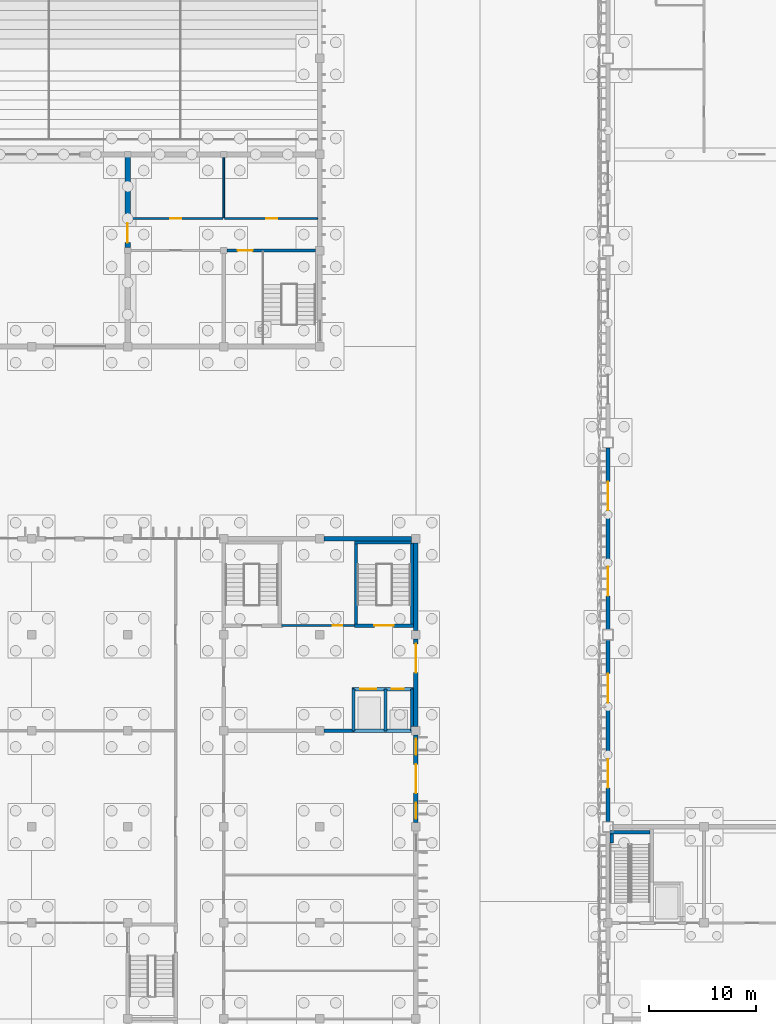
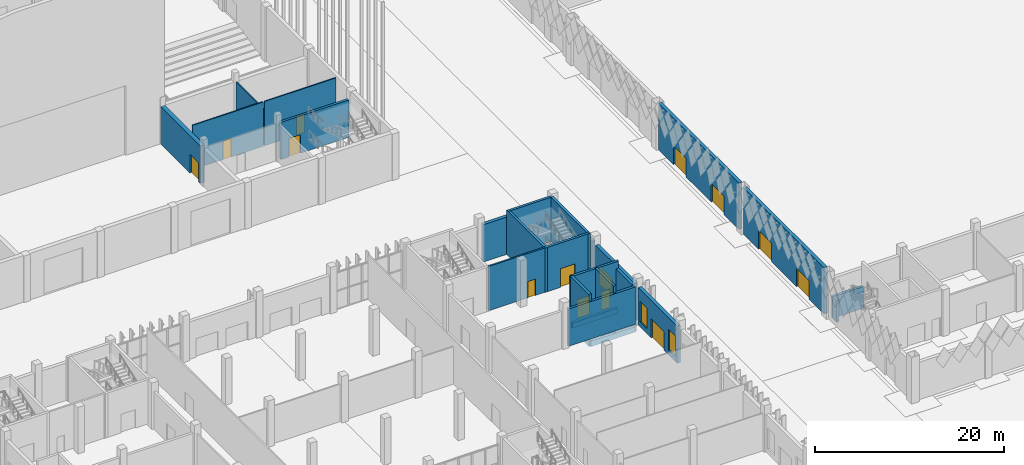
# One storey, part 84 of 198: 28 walls, 14 doors, 2 windows, 16 openings.
"""IFC4 building model written with IfcOpenShell, lengths in metres."""

import ifcopenshell
import ifcopenshell.guid

model = None  # the IFC model being written
_history = None  # IfcOwnerHistory: only IFC2X3 demands one
_inside = {}  # id of a spatial element -> (the spatial element, [elements in it])
_under = {}  # id of a project, library or spatial element -> (it, [spatial elements below it])
_declared = {}  # id of a project -> (the project, [libraries it declares])
_typed = {}  # id of a type object -> (the type object, [elements of that type])
_made_of = {}  # id of a material, layer set ... -> (it, [elements and type objects made of it])


def new_model(schema):
    """Start an empty IFC model of exactly this schema.

    Asked for "IFC4X3", IfcOpenShell would pick the latest addendum, in which some entities
    have other attributes; the version numbers below select the first issue.
    IFC2X3 requires an IfcOwnerHistory on every rooted entity: one is made here for all.
    """
    global model, _history
    if schema == "IFC4X3":
        model = ifcopenshell.file(schema_version=(4, 3, 0, 0))
    else:
        model = ifcopenshell.file(schema=schema)
    _inside.clear()
    _under.clear()
    _declared.clear()
    _typed.clear()
    _made_of.clear()
    _history = None
    if model.schema == "IFC2X3":
        org = make("IfcOrganization", Name="unknown")
        user = make(
            "IfcPersonAndOrganization",
            ThePerson=make("IfcPerson", FamilyName="unknown"),
            TheOrganization=org,
        )
        app = make(
            "IfcApplication",
            ApplicationDeveloper=org,
            Version="unknown",
            ApplicationFullName="unknown",
            ApplicationIdentifier="unknown",
        )
        _history = make(
            "IfcOwnerHistory",
            OwningUser=user,
            OwningApplication=app,
            ChangeAction="ADDED",
            CreationDate=0,
        )
    return model


def make(cls, **values):
    """One entity of the class cls with the attributes given. An attribute that is None is left unset."""
    return model.create_entity(
        cls, **{name: value for name, value in values.items() if value is not None}
    )


def rooted(cls, **values):
    """An entity with a GlobalId (a new one), such as an element, a storey or a relation."""
    return make(cls, GlobalId=ifcopenshell.guid.new(), OwnerHistory=_history, **values)


def si_unit(unit_type, name, prefix=None):
    """IfcSIUnit, for example si_unit("LENGTHUNIT", "METRE", prefix="MILLI")."""
    return make("IfcSIUnit", UnitType=unit_type, Prefix=prefix, Name=name)


def assignment(units):
    """IfcUnitAssignment: the units of a project."""
    return None if units is None else make("IfcUnitAssignment", Units=units)


def point(xyz):
    """IfcCartesianPoint."""
    return None if xyz is None else make("IfcCartesianPoint", Coordinates=xyz)


def direction(xyz):
    """IfcDirection."""
    return None if xyz is None else make("IfcDirection", DirectionRatios=xyz)


def frame(location, z_axis=None, x_axis=None):
    """IfcAxis2Placement3D, a coordinate frame: its origin and axes. An axis left out is left unset."""
    return make(
        "IfcAxis2Placement3D",
        Location=point(location),
        Axis=direction(z_axis),
        RefDirection=direction(x_axis),
    )


def frame_2d(location, x_axis=None):
    """IfcAxis2Placement2D, a coordinate frame in the plane: its origin and x axis."""
    return make(
        "IfcAxis2Placement2D", Location=point(location), RefDirection=direction(x_axis)
    )


def origin():
    """The frame at (0, 0, 0) with its axes left unset."""
    return frame((0.0, 0.0, 0.0))


def place(relative_to, where):
    """IfcLocalPlacement: puts the frame where relative to a parent placement (None: the world)."""
    return make(
        "IfcLocalPlacement", PlacementRelTo=relative_to, RelativePlacement=where
    )


def context(
    kind, dimensions, precision=None, world=None, true_north=None, identifier=None
):
    """IfcGeometricRepresentationContext, for example the 3D "Model" context."""
    return make(
        "IfcGeometricRepresentationContext",
        ContextIdentifier=identifier,
        ContextType=kind,
        CoordinateSpaceDimension=dimensions,
        Precision=precision,
        WorldCoordinateSystem=world,
        TrueNorth=true_north,
    )


def subcontext(parent, identifier, kind, view, scale=None):
    """IfcGeometricRepresentationSubContext, for example "Body" below "Model"."""
    return make(
        "IfcGeometricRepresentationSubContext",
        ContextIdentifier=identifier,
        ContextType=kind,
        ParentContext=parent,
        TargetScale=scale,
        TargetView=view,
    )


def project(units=None, contexts=None):
    """IfcProject with its units and contexts."""
    return rooted(
        "IfcProject",
        Name="project",
        RepresentationContexts=contexts,
        UnitsInContext=assignment(units),
    )


def spatial(cls, under=None, at=None, **own):
    """A site, building, storey or space (cls), placed at a placement, below another one or the project."""
    s = rooted(cls, ObjectPlacement=at, **own)
    if under is not None:
        _under.setdefault(under.id(), (under, []))[1].append(s)
    return s


def profile(cls, at=None, kind="AREA", **sizes):
    """A parametric profile (cls). Its sizes go by their IFC names, for example OverallWidth=200.0."""
    return make(cls, ProfileType=kind, Position=at, **sizes)


def rectangle(**sizes):
    """IfcRectangleProfileDef."""
    return profile("IfcRectangleProfileDef", **sizes)


def extrude(swept, where, along, depth):
    """IfcExtrudedAreaSolid: the profile swept, set in the frame where, extruded along a direction by depth."""
    return make(
        "IfcExtrudedAreaSolid",
        SweptArea=swept,
        Position=where,
        ExtrudedDirection=direction(along),
        Depth=depth,
    )


def shape(context_of_items, identifier, shape_type, items):
    """IfcShapeRepresentation: the items that make up one representation, for example the "Body"."""
    return make(
        "IfcShapeRepresentation",
        ContextOfItems=context_of_items,
        RepresentationIdentifier=identifier,
        RepresentationType=shape_type,
        Items=items,
    )


def material(Name=None, Category=None):
    """IfcMaterial."""
    return make("IfcMaterial", Name=Name, Category=Category)


def layer(
    of_material, thickness, ventilated=None, Name=None, Category=None, Priority=None
):
    """IfcMaterialLayer: one layer of a wall or slab, of a material (None: an air gap)."""
    return make(
        "IfcMaterialLayer",
        Material=of_material,
        LayerThickness=thickness,
        IsVentilated=ventilated,
        Name=Name,
        Category=Category,
        Priority=Priority,
    )


def layer_set(layers, Name=None):
    """IfcMaterialLayerSet."""
    return make("IfcMaterialLayerSet", MaterialLayers=layers, LayerSetName=Name)


def made_of(thing, what):
    """Note that an element or type object is made of a material, layer set ...; save() writes the relation."""
    if what is not None:
        _made_of.setdefault(what.id(), (what, []))[1].append(thing)
    return thing


def type_object(cls, material=None, **own):
    """A type object (cls), such as IfcWallType, which elements share."""
    return made_of(rooted(cls, **own), material)


def element(
    cls,
    number,
    at=None,
    inside=None,
    cuts=None,
    type_object=None,
    material=None,
    context=None,
    identifier="Body",
    shape_type=None,
    held_by="IfcProductDefinitionShape",
    body=None,
    shapes=None,
    **own,
):
    """One element of the class cls, such as IfcWall. Its Tag is "e" and its number.

    at: its placement. inside: the storey or other place that contains it. cuts: it is an
    opening in that element (IfcRelVoidsElement). A single representation is given by context,
    identifier, shape_type and body (its items); several are given by shapes. held_by: the class
    of the entity that holds the representations. save() writes the other relations.
    """
    e = rooted(cls, Tag="e%d" % number, ObjectPlacement=at, **own)
    if body is not None:
        shapes = [shape(context, identifier, shape_type, body)]
    if shapes is not None:
        e.Representation = make(held_by, Representations=shapes)
    if inside is not None:
        _inside.setdefault(inside.id(), (inside, []))[1].append(e)
    if cuts is not None:
        rooted(
            "IfcRelVoidsElement", RelatingBuildingElement=cuts, RelatedOpeningElement=e
        )
    if type_object is not None:
        _typed.setdefault(type_object.id(), (type_object, []))[1].append(e)
    return made_of(e, material)


def fill(opening, filler):
    """IfcRelFillsElement: the door or window that sits in an opening."""
    return rooted(
        "IfcRelFillsElement",
        RelatingOpeningElement=opening,
        RelatedBuildingElement=filler,
    )


def aggregate(whole, parts):
    """IfcRelAggregates: a whole, such as a stair, and the parts it consists of."""
    return rooted("IfcRelAggregates", RelatingObject=whole, RelatedObjects=parts)


def save(model, path):
    """Write the relations noted so far, then the file.

    IfcRelAggregates (storeys below a building ...), IfcRelContainedInSpatialStructure (elements
    in a storey), IfcRelDefinesByType, IfcRelAssociatesMaterial and IfcRelDeclares: one each for
    every whole, place, type object, material and project.
    """
    for whole, parts in _under.values():
        aggregate(whole, parts)
    for where, things in _inside.values():
        rooted(
            "IfcRelContainedInSpatialStructure",
            RelatedElements=things,
            RelatingStructure=where,
        )
    for kind, things in _typed.values():
        rooted("IfcRelDefinesByType", RelatedObjects=things, RelatingType=kind)
    for what, things in _made_of.values():
        rooted("IfcRelAssociatesMaterial", RelatedObjects=things, RelatingMaterial=what)
    for by, libraries in _declared.values():
        rooted("IfcRelDeclares", RelatingContext=by, RelatedDefinitions=libraries)
    model.write(path)


model = new_model("IFC4")

# Units and contexts
model_context = context("Model", 3, precision=1e-05, world=origin(), true_north=direction((0.0, 1.0)))
body_context = subcontext(model_context, "Body", "Model", "MODEL_VIEW")
ifc_project = project(units=[si_unit("LENGTHUNIT", "METRE"), si_unit("AREAUNIT", "SQUARE_METRE"), si_unit("VOLUMEUNIT", "CUBIC_METRE"), si_unit("PLANEANGLEUNIT", "RADIAN"), si_unit("MASSUNIT", "GRAM", prefix="KILO")], contexts=[model_context])

# Site, building, storey
site_placement = place(None, origin())
site = spatial("IfcSite", under=ifc_project, at=site_placement, CompositionType="ELEMENT")
building_placement = place(site_placement, origin())
building = spatial("IfcBuilding", under=site, at=building_placement, Name="Opaline Strait Convention Centre", CompositionType="ELEMENT")
storey_placement = place(building_placement, origin())
storey = spatial("IfcBuildingStorey", under=building, at=storey_placement, Name="L00", CompositionType="ELEMENT", Elevation=0.0)

# Wall, opening, door
ifc_material_1 = material(Name="Autoclaved aerated blockwork", Category="masonry")
ifc_layer_1 = layer(ifc_material_1, 0.14990234375)
ifc_layer_set_1 = layer_set([ifc_layer_1], Name="Autoclaved aerated blockwork")
wall_type_1 = type_object("IfcWallType", Name="Blockwork partition 150", PredefinedType="PARTITIONING", material=ifc_layer_set_1)
wall_1_placement = place(storey_placement, frame((71.800048828125, 129.0, 0.0), z_axis=(0.0, 0.0, 1.0), x_axis=(-1.0, 0.0, 0.0)))
wall_1 = element("IfcWall", 1, at=wall_1_placement, inside=storey, type_object=wall_type_1, Name="PW11 L00 partition EY129A", PredefinedType="PARTITIONING", context=body_context, shape_type="SweptSolid", body=[
    extrude(rectangle(XDim=8.72509765625, YDim=0.14990234375, at=frame_2d((4.362548828125, 0.0))), origin(), (0.0, 0.0, 1.0), 5.719970703125),
])
opening_1_placement = place(wall_1_placement, frame((3.800048828125, 0.0, 0.0)))
opening_1 = element("IfcOpeningElement", 2, at=opening_1_placement, cuts=wall_1, Name="Opening P0-027", PredefinedType="OPENING", context=body_context, shape_type="SweptSolid", body=[
    extrude(rectangle(XDim=1.0, YDim=2.39990234375, at=frame_2d((0.5, 1.199951171875))), frame((0.0, 0.0849609375, 0.0), z_axis=(0.0, -1.0, 0.0), x_axis=(1.0, 0.0, 0.0)), (0.0, 0.0, 1.0), 0.169921875),
])
ifc_material_2 = material(Name="Steel Q235B", Category="steel")
door_type_1 = type_object("IfcDoorType", Name="Fire door FD30 1000 x 2400", OperationType="NOTDEFINED", PredefinedType="DOOR", material=ifc_material_2)
door_1_placement = place(opening_1_placement, origin())
door_1 = element("IfcDoor", 3, at=door_1_placement, inside=storey, type_object=door_type_1, Name="L00 room door", ObjectType="PD7", OperationType="SINGLE_SWING_LEFT", OverallHeight=2.39990234375, OverallWidth=1.0, PredefinedType="DOOR", context=body_context, shape_type="SweptSolid", body=[
    extrude(rectangle(XDim=1.0, YDim=2.39990234375, at=frame_2d((0.5, 1.199951171875))), frame((0.0, 0.02490234375, 0.0), z_axis=(0.0, -1.0, 0.0), x_axis=(1.0, 0.0, 0.0)), (0.0, 0.0, 1.0), 0.050048828125),
])
fill(opening_1, door_1)

wall_2_placement = place(storey_placement, frame((62.925048828125, 129.0, 0.0), z_axis=(0.0, 0.0, 1.0), x_axis=(-1.0, 0.0, 0.0)))
wall_2 = element("IfcWall", 4, at=wall_2_placement, inside=storey, type_object=wall_type_1, Name="PW11 L00 partition EY129B", PredefinedType="PARTITIONING", context=body_context, shape_type="SweptSolid", body=[
    extrude(rectangle(XDim=8.625, YDim=0.14990234375, at=frame_2d((4.3125, 0.0))), origin(), (0.0, 0.0, 1.0), 5.719970703125),
])
opening_2_placement = place(wall_2_placement, frame((3.925048828125, 0.0, 0.0)))
opening_2 = element("IfcOpeningElement", 5, at=opening_2_placement, cuts=wall_2, Name="Opening P0-028", PredefinedType="OPENING", context=body_context, shape_type="SweptSolid", body=[
    extrude(rectangle(XDim=1.0, YDim=2.39990234375, at=frame_2d((0.5, 1.199951171875))), frame((0.0, 0.0849609375, 0.0), z_axis=(0.0, -1.0, 0.0), x_axis=(1.0, 0.0, 0.0)), (0.0, 0.0, 1.0), 0.169921875),
])
door_2_placement = place(opening_2_placement, origin())
door_2 = element("IfcDoor", 6, at=door_2_placement, inside=storey, type_object=door_type_1, Name="L00 room door", ObjectType="PD7", OperationType="SINGLE_SWING_RIGHT", OverallHeight=2.39990234375, OverallWidth=1.0, PredefinedType="DOOR", context=body_context, shape_type="SweptSolid", body=[
    extrude(rectangle(XDim=1.0, YDim=2.39990234375, at=frame_2d((0.5, 1.199951171875))), frame((0.0, 0.02490234375, 0.0), z_axis=(0.0, -1.0, 0.0), x_axis=(1.0, 0.0, 0.0)), (0.0, 0.0, 1.0), 0.050048828125),
])
fill(opening_2, door_2)

# Wall
wall_3_placement = place(storey_placement, frame((63.0, 129.074951171875, 0.0), z_axis=(0.0, 0.0, 1.0), x_axis=(0.0, 1.0, 0.0)))
element("IfcWall", 7, at=wall_3_placement, inside=storey, type_object=wall_type_1, Name="PW11 L00 partition EX18", PredefinedType="PARTITIONING", context=body_context, shape_type="SweptSolid", body=[
    extrude(rectangle(XDim=5.625, YDim=0.14990234375, at=frame_2d((2.8125, 0.0))), origin(), (0.0, 0.0, 1.0), 4.820068359375),
])

# Wall, openings, doors
ifc_material_3 = material(Name="Concrete C40", Category="concrete")
ifc_layer_2 = layer(ifc_material_3, 0.25)
ifc_material_4 = material(Name="Mineral wool insulation")
ifc_layer_3 = layer(ifc_material_4, 0.10009765625)
ifc_material_5 = material(Name="Gypsum board lining")
ifc_layer_4 = layer(ifc_material_5, 0.050048828125)
ifc_layer_set_2 = layer_set([ifc_layer_2, ifc_layer_3, ifc_layer_4], Name="Concrete C40, Mineral wool insulation, Gypsum board lining")
wall_type_2 = type_object("IfcWallType", Name="External wall RC 400 insulated", PredefinedType="SOLIDWALL", material=ifc_layer_set_2)
wall_4_placement = place(storey_placement, frame((99.0, 72.5, 0.0), z_axis=(0.0, 0.0, 1.0), x_axis=(0.0, 1.0, 0.0)))
wall_4 = element("IfcWall", 8, at=wall_4_placement, inside=storey, type_object=wall_type_2, Name="External wall W3", PredefinedType="SOLIDWALL", context=body_context, shape_type="SweptSolid", body=[
    extrude(rectangle(XDim=17.0, YDim=0.39990234375, at=frame_2d((8.5, 0.0))), origin(), (0.0, 0.0, 1.0), 6.0),
])
opening_3_placement = place(wall_4_placement, frame((3.14990234375, 0.0, 0.0)))
opening_3 = element("IfcOpeningElement", 9, at=opening_3_placement, cuts=wall_4, Name="Opening X0-034", PredefinedType="OPENING", context=body_context, shape_type="SweptSolid", body=[
    extrude(rectangle(XDim=2.699951171875, YDim=2.39990234375, at=frame_2d((1.35009765625, 1.199951171875))), frame((0.0, 0.2099609375, 0.0), z_axis=(0.0, -1.0, 0.0), x_axis=(1.0, 0.0, 0.0)), (0.0, 0.0, 1.0), 0.419921875),
])
opening_4_placement = place(wall_4_placement, frame((11.14990234375, 0.0, 0.0)))
opening_4 = element("IfcOpeningElement", 10, at=opening_4_placement, cuts=wall_4, Name="Opening X0-035", PredefinedType="OPENING", context=body_context, shape_type="SweptSolid", body=[
    extrude(rectangle(XDim=2.699951171875, YDim=2.39990234375, at=frame_2d((1.35009765625, 1.199951171875))), frame((0.0, 0.2099609375, 0.0), z_axis=(0.0, -1.0, 0.0), x_axis=(1.0, 0.0, 0.0)), (0.0, 0.0, 1.0), 0.419921875),
])
door_type_2 = type_object("IfcDoorType", Name="Exit door pair 2700 x 2400", OperationType="DOUBLE_DOOR_SINGLE_SWING", PredefinedType="DOOR", material=ifc_material_2)
door_3_placement = place(opening_3_placement, origin())
door_3 = element("IfcDoor", 11, at=door_3_placement, inside=storey, type_object=door_type_2, Name="Hall exit door W1", ObjectType="XD2", OperationType="DOUBLE_DOOR_SINGLE_SWING", OverallHeight=2.39990234375, OverallWidth=2.699951171875, PredefinedType="DOOR", context=body_context, shape_type="SweptSolid", body=[
    extrude(rectangle(XDim=2.699951171875, YDim=2.39990234375, at=frame_2d((1.35009765625, 1.199951171875))), frame((0.0, 0.02490234375, 0.0), z_axis=(0.0, -1.0, 0.0), x_axis=(1.0, 0.0, 0.0)), (0.0, 0.0, 1.0), 0.050048828125),
])
fill(opening_3, door_3)
door_4_placement = place(opening_4_placement, origin())
door_4 = element("IfcDoor", 12, at=door_4_placement, inside=storey, type_object=door_type_2, Name="Hall exit door W2", ObjectType="XD2", OperationType="DOUBLE_DOOR_SINGLE_SWING", OverallHeight=2.39990234375, OverallWidth=2.699951171875, PredefinedType="DOOR", context=body_context, shape_type="SweptSolid", body=[
    extrude(rectangle(XDim=2.699951171875, YDim=2.39990234375, at=frame_2d((1.35009765625, 1.199951171875))), frame((0.0, 0.02490234375, 0.0), z_axis=(0.0, -1.0, 0.0), x_axis=(1.0, 0.0, 0.0)), (0.0, 0.0, 1.0), 0.050048828125),
])
fill(opening_4, door_4)

wall_5_placement = place(storey_placement, frame((99.0, 90.5, 0.0), z_axis=(0.0, 0.0, 1.0), x_axis=(0.0, 1.0, 0.0)))
wall_5 = element("IfcWall", 13, at=wall_5_placement, inside=storey, type_object=wall_type_2, Name="External wall W4", PredefinedType="SOLIDWALL", context=body_context, shape_type="SweptSolid", body=[
    extrude(rectangle(XDim=17.0, YDim=0.39990234375, at=frame_2d((8.5, 0.0))), origin(), (0.0, 0.0, 1.0), 6.0),
])
opening_5_placement = place(wall_5_placement, frame((3.14990234375, 0.0, 0.0)))
opening_5 = element("IfcOpeningElement", 14, at=opening_5_placement, cuts=wall_5, Name="Opening X0-036", PredefinedType="OPENING", context=body_context, shape_type="SweptSolid", body=[
    extrude(rectangle(XDim=2.699951171875, YDim=2.39990234375, at=frame_2d((1.35009765625, 1.199951171875))), frame((0.0, 0.2099609375, 0.0), z_axis=(0.0, -1.0, 0.0), x_axis=(1.0, 0.0, 0.0)), (0.0, 0.0, 1.0), 0.419921875),
])
opening_6_placement = place(wall_5_placement, frame((11.14990234375, 0.0, 0.0)))
opening_6 = element("IfcOpeningElement", 15, at=opening_6_placement, cuts=wall_5, Name="Opening X0-037", PredefinedType="OPENING", context=body_context, shape_type="SweptSolid", body=[
    extrude(rectangle(XDim=2.699951171875, YDim=2.39990234375, at=frame_2d((1.35009765625, 1.199951171875))), frame((0.0, 0.2099609375, 0.0), z_axis=(0.0, -1.0, 0.0), x_axis=(1.0, 0.0, 0.0)), (0.0, 0.0, 1.0), 0.419921875),
])
door_5_placement = place(opening_5_placement, origin())
door_5 = element("IfcDoor", 16, at=door_5_placement, inside=storey, type_object=door_type_2, Name="Hall exit door W3", ObjectType="XD2", OperationType="DOUBLE_DOOR_SINGLE_SWING", OverallHeight=2.39990234375, OverallWidth=2.699951171875, PredefinedType="DOOR", context=body_context, shape_type="SweptSolid", body=[
    extrude(rectangle(XDim=2.699951171875, YDim=2.39990234375, at=frame_2d((1.35009765625, 1.199951171875))), frame((0.0, 0.02490234375, 0.0), z_axis=(0.0, -1.0, 0.0), x_axis=(1.0, 0.0, 0.0)), (0.0, 0.0, 1.0), 0.050048828125),
])
fill(opening_5, door_5)
door_6_placement = place(opening_6_placement, origin())
door_6 = element("IfcDoor", 17, at=door_6_placement, inside=storey, type_object=door_type_2, Name="Hall exit door W4", ObjectType="XD2", OperationType="DOUBLE_DOOR_SINGLE_SWING", OverallHeight=2.39990234375, OverallWidth=2.699951171875, PredefinedType="DOOR", context=body_context, shape_type="SweptSolid", body=[
    extrude(rectangle(XDim=2.699951171875, YDim=2.39990234375, at=frame_2d((1.35009765625, 1.199951171875))), frame((0.0, 0.02490234375, 0.0), z_axis=(0.0, -1.0, 0.0), x_axis=(1.0, 0.0, 0.0)), (0.0, 0.0, 1.0), 0.050048828125),
])
fill(opening_6, door_6)

# Wall, opening, door
ifc_material_6 = material(Name="Gypsum board on metal studs with mineral wool")
ifc_layer_5 = layer(ifc_material_6, 0.199951171875)
ifc_layer_set_3 = layer_set([ifc_layer_5], Name="Gypsum board on metal studs with mineral wool")
wall_type_3 = type_object("IfcWallType", Name="Fire partition 200", PredefinedType="PARTITIONING", material=ifc_layer_set_3)
wall_6_placement = place(storey_placement, frame((75.25, 90.85009765625, 0.0), z_axis=(0.0, 0.0, 1.0), x_axis=(-1.0, 0.0, 0.0)))
wall_6 = element("IfcWall", 18, at=wall_6_placement, inside=storey, type_object=wall_type_3, Name="NE core STORE-N wall", PredefinedType="PARTITIONING", context=body_context, shape_type="SweptSolid", body=[
    extrude(rectangle(XDim=6.85009765625, YDim=0.199951171875, at=frame_2d((3.425048828125, 0.0))), origin(), (0.0, 0.0, 1.0), 5.719970703125),
])
opening_7_placement = place(wall_6_placement, frame((1.14990234375, 0.0, 0.0)))
opening_7 = element("IfcOpeningElement", 19, at=opening_7_placement, cuts=wall_6, Name="Opening R0-019", PredefinedType="OPENING", context=body_context, shape_type="SweptSolid", body=[
    extrude(rectangle(XDim=0.89990234375, YDim=2.10009765625, at=frame_2d((0.449951171875, 1.050048828125))), frame((0.0, 0.10986328125, 0.0), z_axis=(0.0, -1.0, 0.0), x_axis=(1.0, 0.0, 0.0)), (0.0, 0.0, 1.0), 0.219970703125),
])
ifc_material_7 = material(Name="Galvanised steel door leaf", Category="steel")
door_type_3 = type_object("IfcDoorType", Name="Services store door 900x2100 FD60", OperationType="SINGLE_SWING_LEFT", PredefinedType="DOOR", material=ifc_material_7)
door_7_placement = place(opening_7_placement, origin())
door_7 = element("IfcDoor", 20, at=door_7_placement, inside=storey, type_object=door_type_3, Name="Services store door NE R0-019", ObjectType="RD8", OperationType="SINGLE_SWING_LEFT", OverallHeight=2.10009765625, OverallWidth=0.89990234375, PredefinedType="DOOR", context=body_context, shape_type="SweptSolid", body=[
    extrude(rectangle(XDim=0.89990234375, YDim=2.10009765625, at=frame_2d((0.449951171875, 1.050048828125))), frame((0.0, 0.02490234375, 0.0), z_axis=(0.0, -1.0, 0.0), x_axis=(1.0, 0.0, 0.0)), (0.0, 0.0, 1.0), 0.050048828125),
])
fill(opening_7, door_7)

# Walls
ifc_layer_6 = layer(ifc_material_3, 0.300048828125)
ifc_layer_set_4 = layer_set([ifc_layer_6], Name="Concrete C40")
wall_type_4 = type_object("IfcWallType", Name="Lift shaft wall RC 300 C40", PredefinedType="SHEAR", material=ifc_layer_set_4)
wall_7_placement = place(storey_placement, frame((99.199951171875, 71.5, 0.0), z_axis=(0.0, 0.0, 1.0), x_axis=(1.0, 0.0, 0.0)))
element("IfcWall", 21, at=wall_7_placement, inside=storey, type_object=wall_type_4, Name="EXB-LS-1-LB1-L00", PredefinedType="SHEAR", context=body_context, shape_type="SweptSolid", body=[
    extrude(rectangle(XDim=3.75, YDim=0.300048828125, at=frame_2d((1.875, 0.0))), origin(), (0.0, 0.0, 1.0), 2.800048828125),
])
wall_8_placement = place(storey_placement, frame((99.35009765625, 70.499267578125, 0.0), z_axis=(0.0, 0.0, 1.0), x_axis=(0.0, 1.0, 0.0)))
element("IfcWall", 22, at=wall_8_placement, inside=storey, type_object=wall_type_4, Name="EXB-LS-1-LB2-L00", PredefinedType="SHEAR", context=body_context, shape_type="SweptSolid", body=[
    extrude(rectangle(XDim=0.850830078125, YDim=0.300048828125, at=frame_2d((0.42529296875, 0.0))), origin(), (0.0, 0.0, 1.0), 2.800048828125),
])

# Wall, opening, door
ifc_layer_7 = layer(ifc_material_3, 0.419921875)
ifc_layer_8 = layer(ifc_material_4, 0.050048828125)
ifc_layer_9 = layer(ifc_material_5, 0.030029296875)
ifc_layer_set_5 = layer_set([ifc_layer_7, ifc_layer_8, ifc_layer_9], Name="Concrete C40, Mineral wool insulation, Gypsum board lining")
wall_type_5 = type_object("IfcWallType", Name="RC stage wall 500 C40", PredefinedType="SOLIDWALL", material=ifc_layer_set_5)
wall_9_placement = place(storey_placement, frame((54.0, 126.300048828125, 0.0), z_axis=(0.0, 0.0, 1.0), x_axis=(0.0, 1.0, 0.0)))
wall_9 = element("IfcWall", 23, at=wall_9_placement, inside=storey, type_object=wall_type_5, Name="PW2 stage side wall L00 at 7/P", PredefinedType="SOLIDWALL", context=body_context, shape_type="SweptSolid", body=[
    extrude(rectangle(XDim=8.449951171875, YDim=0.5, at=frame_2d((4.22509765625, 0.0))), origin(), (0.0, 0.0, 1.0), 4.820068359375),
])
opening_8_placement = place(wall_9_placement, frame((0.449951171875, 0.0, 0.0)))
opening_8 = element("IfcOpeningElement", 24, at=opening_8_placement, cuts=wall_9, Name="Opening P0-030", PredefinedType="OPENING", context=body_context, shape_type="SweptSolid", body=[
    extrude(rectangle(XDim=1.800048828125, YDim=2.39990234375, at=frame_2d((0.89990234375, 1.199951171875))), frame((0.0, 0.260009765625, 0.0), z_axis=(0.0, -1.0, 0.0), x_axis=(1.0, 0.0, 0.0)), (0.0, 0.0, 1.0), 0.52001953125),
])
door_type_4 = type_object("IfcDoorType", Name="Fire door FD90 1800 x 2400", OperationType="DOUBLE_DOOR_SINGLE_SWING", PredefinedType="DOOR", material=ifc_material_2)
door_8_placement = place(opening_8_placement, origin())
door_8 = element("IfcDoor", 25, at=door_8_placement, inside=storey, type_object=door_type_4, Name="Stage door", ObjectType="PD9", OperationType="SINGLE_SWING_LEFT", OverallHeight=2.39990234375, OverallWidth=1.800048828125, PredefinedType="DOOR", context=body_context, shape_type="SweptSolid", body=[
    extrude(rectangle(XDim=1.800048828125, YDim=2.39990234375, at=frame_2d((0.89990234375, 1.199951171875))), frame((0.0, 0.02490234375, 0.0), z_axis=(0.0, -1.0, 0.0), x_axis=(1.0, 0.0, 0.0)), (0.0, 0.0, 1.0), 0.050048828125),
])
fill(opening_8, door_8)

ifc_layer_10 = layer(ifc_material_3, 0.300048828125)
ifc_layer_set_6 = layer_set([ifc_layer_10], Name="Concrete C40")
wall_type_6 = type_object("IfcWallType", Name="RC stair core wall 300 C40", PredefinedType="SOLIDWALL", material=ifc_layer_set_6)
wall_10_placement = place(storey_placement, frame((63.300048828125, 126.0, 0.0), z_axis=(0.0, 0.0, 1.0), x_axis=(1.0, 0.0, 0.0)))
wall_10 = element("IfcWall", 26, at=wall_10_placement, inside=storey, type_object=wall_type_6, Name="PW13 L00 SE core cross wall", PredefinedType="SOLIDWALL", context=body_context, shape_type="SweptSolid", body=[
    extrude(rectangle(XDim=8.300048828125, YDim=0.300048828125, at=frame_2d((4.14990234375, 0.0))), origin(), (0.0, 0.0, 1.0), 4.820068359375),
])
opening_9_placement = place(wall_10_placement, frame((1.0, 0.0, 0.0)))
opening_9 = element("IfcOpeningElement", 27, at=opening_9_placement, cuts=wall_10, Name="Opening P0-018", PredefinedType="OPENING", context=body_context, shape_type="SweptSolid", body=[
    extrude(rectangle(XDim=1.39990234375, YDim=2.39990234375, at=frame_2d((0.699951171875, 1.199951171875))), frame((0.0, 0.159912109375, 0.0), z_axis=(0.0, -1.0, 0.0), x_axis=(1.0, 0.0, 0.0)), (0.0, 0.0, 1.0), 0.320068359375),
])
door_type_5 = type_object("IfcDoorType", Name="Fire door FD60 1400 x 2400", OperationType="DOUBLE_DOOR_SINGLE_SWING", PredefinedType="DOOR", material=ifc_material_2)
door_9_placement = place(opening_9_placement, origin())
door_9 = element("IfcDoor", 28, at=door_9_placement, inside=storey, type_object=door_type_5, Name="SE stair core door", ObjectType="PD8", OperationType="SINGLE_SWING_LEFT", OverallHeight=2.39990234375, OverallWidth=1.39990234375, PredefinedType="DOOR", context=body_context, shape_type="SweptSolid", body=[
    extrude(rectangle(XDim=1.39990234375, YDim=2.39990234375, at=frame_2d((0.699951171875, 1.199951171875))), frame((0.0, 0.02490234375, 0.0), z_axis=(0.0, -1.0, 0.0), x_axis=(1.0, 0.0, 0.0)), (0.0, 0.0, 1.0), 0.050048828125),
])
fill(opening_9, door_9)

# Wall
ifc_layer_11 = layer(ifc_material_3, 0.300048828125)
ifc_layer_set_7 = layer_set([ifc_layer_11], Name="Concrete C40")
wall_type_7 = type_object("IfcWallType", Name="RC wall 300 C40", PredefinedType="SOLIDWALL", material=ifc_layer_set_7)
wall_11_placement = place(storey_placement, frame((80.60009765625, 98.64990234375, 0.0), z_axis=(0.0, 0.0, 1.0), x_axis=(-1.0, 0.0, 0.0)))
element("IfcWall", 29, at=wall_11_placement, inside=storey, type_object=wall_type_7, Name="NE core STA-S wall", PredefinedType="SOLIDWALL", context=body_context, shape_type="SweptSolid", body=[
    extrude(rectangle(XDim=5.35009765625, YDim=0.300048828125, at=frame_2d((2.675048828125, 0.0))), origin(), (0.0, 0.0, 1.0), 5.719970703125),
])

# Wall, opening, door
wall_12_placement = place(storey_placement, frame((80.800048828125, 90.85009765625, 0.0), z_axis=(0.0, 0.0, 1.0), x_axis=(-1.0, 0.0, 0.0)))
wall_12 = element("IfcWall", 30, at=wall_12_placement, inside=storey, type_object=wall_type_7, Name="NE core STA-N wall", PredefinedType="SOLIDWALL", context=body_context, shape_type="SweptSolid", body=[
    extrude(rectangle(XDim=5.550048828125, YDim=0.300048828125, at=frame_2d((2.77490234375, 0.0))), origin(), (0.0, 0.0, 1.0), 5.719970703125),
])
opening_10_placement = place(wall_12_placement, frame((1.875, 0.0, 0.0)))
opening_10 = element("IfcOpeningElement", 31, at=opening_10_placement, cuts=wall_12, Name="Opening R0-017", PredefinedType="OPENING", context=body_context, shape_type="SweptSolid", body=[
    extrude(rectangle(XDim=1.800048828125, YDim=2.39990234375, at=frame_2d((0.89990234375, 1.199951171875))), frame((0.0, 0.159912109375, 0.0), z_axis=(0.0, -1.0, 0.0), x_axis=(1.0, 0.0, 0.0)), (0.0, 0.0, 1.0), 0.320068359375),
])
ifc_material_8 = material(Name="Timber door leaves in steel frame", Category="steel")
door_type_6 = type_object("IfcDoorType", Name="Stair door 1800x2400 double FD60", OperationType="DOUBLE_DOOR_SINGLE_SWING", PredefinedType="DOOR", material=ifc_material_8)
door_10_placement = place(opening_10_placement, origin())
door_10 = element("IfcDoor", 32, at=door_10_placement, inside=storey, type_object=door_type_6, Name="Stair door NEA R0-017", ObjectType="RD7", OperationType="DOUBLE_DOOR_SINGLE_SWING", OverallHeight=2.39990234375, OverallWidth=1.800048828125, PredefinedType="DOOR", context=body_context, shape_type="SweptSolid", body=[
    extrude(rectangle(XDim=1.800048828125, YDim=2.39990234375, at=frame_2d((0.89990234375, 1.199951171875))), frame((0.0, 0.02490234375, 0.0), z_axis=(0.0, -1.0, 0.0), x_axis=(1.0, 0.0, 0.0)), (0.0, 0.0, 1.0), 0.050048828125),
])
fill(opening_10, door_10)

# Walls
wall_13_placement = place(storey_placement, frame((80.64990234375, 98.60009765625, 0.0), z_axis=(0.0, 0.0, 1.0), x_axis=(0.0, -1.0, 0.0)))
element("IfcWall", 33, at=wall_13_placement, inside=storey, type_object=wall_type_7, Name="NE core STA-W wall", PredefinedType="SOLIDWALL", context=body_context, shape_type="SweptSolid", body=[
    extrude(rectangle(XDim=7.900146484375, YDim=0.300048828125, at=frame_2d((3.9501953125, 0.0))), origin(), (0.0, 0.0, 1.0), 5.719970703125),
])
wall_14_placement = place(storey_placement, frame((75.39990234375, 98.800048828125, 0.0), z_axis=(0.0, 0.0, 1.0), x_axis=(0.0, -1.0, 0.0)))
element("IfcWall", 34, at=wall_14_placement, inside=storey, type_object=wall_type_7, Name="NE core STA-E wall", PredefinedType="SOLIDWALL", context=body_context, shape_type="SweptSolid", body=[
    extrude(rectangle(XDim=8.10009765625, YDim=0.300048828125, at=frame_2d((4.050048828125, 0.0))), origin(), (0.0, 0.0, 1.0), 5.719970703125),
])
wall_15_placement = place(storey_placement, frame((80.60009765625, 81.0, 0.0), z_axis=(0.0, 0.0, 1.0), x_axis=(-1.0, 0.0, 0.0)))
element("IfcWall", 35, at=wall_15_placement, inside=storey, type_object=wall_type_7, Name="NE core BND-N wall", PredefinedType="SOLIDWALL", context=body_context, shape_type="SweptSolid", body=[
    extrude(rectangle(XDim=8.2001953125, YDim=0.300048828125, at=frame_2d((4.10009765625, 0.0))), origin(), (0.0, 0.0, 1.0), 4.820068359375),
])

# Wall, openings, doors
wall_16_placement = place(storey_placement, frame((80.800048828125, 84.89990234375, 0.0), z_axis=(0.0, 0.0, 1.0), x_axis=(-1.0, 0.0, 0.0)))
wall_16 = element("IfcWall", 36, at=wall_16_placement, inside=storey, type_object=wall_type_7, Name="NE core LIFT-S wall", PredefinedType="SOLIDWALL", context=body_context, shape_type="SweptSolid", body=[
    extrude(rectangle(XDim=5.800048828125, YDim=0.300048828125, at=frame_2d((2.89990234375, 0.0))), origin(), (0.0, 0.0, 1.0), 5.719970703125),
])
opening_11_placement = place(wall_16_placement, frame((0.949951171875, 0.0, 0.0)))
opening_11 = element("IfcOpeningElement", 37, at=opening_11_placement, cuts=wall_16, Name="Opening R0-021", PredefinedType="OPENING", context=body_context, shape_type="SweptSolid", body=[
    extrude(rectangle(XDim=1.10009765625, YDim=2.39990234375, at=frame_2d((0.550048828125, 1.199951171875))), frame((0.0, 0.159912109375, 0.0), z_axis=(0.0, -1.0, 0.0), x_axis=(1.0, 0.0, 0.0)), (0.0, 0.0, 1.0), 0.320068359375),
])
opening_12_placement = place(wall_16_placement, frame((3.5, 0.0, 0.0)))
opening_12 = element("IfcOpeningElement", 38, at=opening_12_placement, cuts=wall_16, Name="Opening R0-022", PredefinedType="OPENING", context=body_context, shape_type="SweptSolid", body=[
    extrude(rectangle(XDim=1.5, YDim=2.39990234375, at=frame_2d((0.75, 1.199951171875))), frame((0.0, 0.159912109375, 0.0), z_axis=(0.0, -1.0, 0.0), x_axis=(1.0, 0.0, 0.0)), (0.0, 0.0, 1.0), 0.320068359375),
])
ifc_material_9 = material(Name="Stainless steel 304 door leaves", Category="steel")
door_type_7 = type_object("IfcDoorType", Name="Lift landing door 1100x2400 sliding FD60", OperationType="SLIDING_TO_LEFT", PredefinedType="DOOR", material=ifc_material_9)
door_11_placement = place(opening_11_placement, frame((1.10009765625, 0.0, 0.0), z_axis=(0.0, 0.0, 1.0), x_axis=(-1.0, 0.0, 0.0)))
door_11 = element("IfcDoor", 39, at=door_11_placement, inside=storey, type_object=door_type_7, Name="Lift landing door NEP R0-021", ObjectType="LD1", OperationType="SLIDING_TO_LEFT", OverallHeight=2.39990234375, OverallWidth=1.10009765625, PredefinedType="DOOR", context=body_context, shape_type="SweptSolid", body=[
    extrude(rectangle(XDim=1.10009765625, YDim=2.39990234375, at=frame_2d((0.550048828125, 1.199951171875))), frame((0.0, 0.02490234375, 0.0), z_axis=(0.0, -1.0, 0.0), x_axis=(1.0, 0.0, 0.0)), (0.0, 0.0, 1.0), 0.050048828125),
])
fill(opening_11, door_11)
door_type_8 = type_object("IfcDoorType", Name="Lift landing door 1500x2400 sliding FD60", OperationType="SLIDING_TO_LEFT", PredefinedType="DOOR", material=ifc_material_9)
door_12_placement = place(opening_12_placement, frame((1.5, 0.0, 0.0), z_axis=(0.0, 0.0, 1.0), x_axis=(-1.0, 0.0, 0.0)))
door_12 = element("IfcDoor", 40, at=door_12_placement, inside=storey, type_object=door_type_8, Name="Lift landing door NEG R0-022", ObjectType="LD2", OperationType="SLIDING_TO_LEFT", OverallHeight=2.39990234375, OverallWidth=1.5, PredefinedType="DOOR", context=body_context, shape_type="SweptSolid", body=[
    extrude(rectangle(XDim=1.5, YDim=2.39990234375, at=frame_2d((0.75, 1.199951171875))), frame((0.0, 0.02490234375, 0.0), z_axis=(0.0, -1.0, 0.0), x_axis=(1.0, 0.0, 0.0)), (0.0, 0.0, 1.0), 0.050048828125),
])
fill(opening_12, door_12)

# Walls
for number, where, z_axis, x_axis, name in (
    (41, (78.14990234375, 84.89990234375, 0.0), (0.0, 0.0, 1.0), (0.0, -1.0, 0.0), "NE core LIFT-M wall"),
    (42, (75.14990234375, 84.89990234375, 0.0), (0.0, 0.0, 1.0), (0.0, -1.0, 0.0), "NE core LIFT-GE wall"),
):
    element("IfcWall", number, at=place(storey_placement, frame(where, z_axis=z_axis, x_axis=x_axis)), inside=storey, type_object=wall_type_7, Name=name, PredefinedType="SOLIDWALL", context=body_context, shape_type="SweptSolid", body=[
        extrude(rectangle(XDim=3.89990234375, YDim=0.300048828125, at=frame_2d((1.949951171875, 0.0))), origin(), (0.0, 0.0, 1.0), 5.719970703125),
    ])
wall_17_placement = place(storey_placement, frame((80.64990234375, 84.89990234375, 0.0), z_axis=(0.0, 0.0, 1.0), x_axis=(0.0, -1.0, 0.0)))
element("IfcWall", 43, at=wall_17_placement, inside=storey, type_object=wall_type_7, Name="NE core LIFT-W wall", PredefinedType="SOLIDWALL", context=body_context, shape_type="SweptSolid", body=[
    extrude(rectangle(XDim=3.5, YDim=0.300048828125, at=frame_2d((1.75, 0.0))), origin(), (0.0, 0.0, 1.0), 4.820068359375),
])
for number, where, z_axis, x_axis, name in (
    (44, (75.14990234375, 81.0, -1.0), (0.0, 0.0, 1.0), (1.0, 0.0, 0.0), "Lift pit wall NE"),
    (45, (75.14990234375, 84.89990234375, -1.0), (0.0, 0.0, 1.0), (1.0, 0.0, 0.0), "Lift pit wall NE"),
):
    element("IfcWall", number, at=place(storey_placement, frame(where, z_axis=z_axis, x_axis=x_axis)), inside=storey, type_object=wall_type_7, Name=name, PredefinedType="SOLIDWALL", context=body_context, shape_type="SweptSolid", body=[
        extrude(rectangle(XDim=5.5, YDim=0.300048828125, at=frame_2d((2.75, 0.0))), origin(), (0.0, 0.0, 1.0), 0.699951171875),
    ])
for number, where, z_axis, x_axis, name in (
    (46, (75.14990234375, 81.0, -1.0), (0.0, 0.0, 1.0), (0.0, 1.0, 0.0), "Lift pit wall NE"),
    (47, (78.14990234375, 81.0, -1.0), (0.0, 0.0, 1.0), (0.0, 1.0, 0.0), "Lift pit wall NE"),
    (48, (80.64990234375, 81.0, -1.0), (0.0, 0.0, 1.0), (0.0, 1.0, 0.0), "Lift pit wall NE"),
):
    element("IfcWall", number, at=place(storey_placement, frame(where, z_axis=z_axis, x_axis=x_axis)), inside=storey, type_object=wall_type_7, Name=name, PredefinedType="SOLIDWALL", context=body_context, shape_type="SweptSolid", body=[
        extrude(rectangle(XDim=3.89990234375, YDim=0.300048828125, at=frame_2d((1.949951171875, 0.0))), origin(), (0.0, 0.0, 1.0), 0.699951171875),
    ])
ifc_layer_12 = layer(ifc_material_3, 0.320068359375)
ifc_layer_13 = layer(ifc_material_4, 0.050048828125)
ifc_layer_14 = layer(ifc_material_5, 0.030029296875)
ifc_layer_set_8 = layer_set([ifc_layer_12, ifc_layer_13, ifc_layer_14], Name="Concrete C40, Mineral wool insulation, Gypsum board lining")
wall_type_8 = type_object("IfcWallType", Name="RC wall 400 C40", PredefinedType="SOLIDWALL", material=ifc_layer_set_8)
wall_18_placement = place(storey_placement, frame((72.39990234375, 99.0, 0.0), z_axis=(0.0, 0.0, 1.0), x_axis=(1.0, 0.0, 0.0)))
element("IfcWall", 49, at=wall_18_placement, inside=storey, type_object=wall_type_8, Name="L00 N external wall 8", PredefinedType="SOLIDWALL", context=body_context, shape_type="SweptSolid", body=[
    extrude(rectangle(XDim=8.2001953125, YDim=0.39990234375, at=frame_2d((4.10009765625, 0.0))), origin(), (0.0, 0.0, 1.0), 4.820068359375),
])

# Wall, openings, door, windows
wall_19_placement = place(storey_placement, frame((81.0, 72.39990234375, 0.0), z_axis=(0.0, 0.0, 1.0), x_axis=(0.0, 1.0, 0.0)))
wall_19 = element("IfcWall", 50, at=wall_19_placement, inside=storey, type_object=wall_type_8, Name="L00 E external wall 8", PredefinedType="SOLIDWALL", context=body_context, shape_type="SweptSolid", body=[
    extrude(rectangle(XDim=8.2001953125, YDim=0.39990234375, at=frame_2d((4.10009765625, 0.0))), origin(), (0.0, 0.0, 1.0), 4.820068359375),
])
opening_13_placement = place(wall_19_placement, frame((0.35009765625, 0.0, 0.60009765625)))
opening_13 = element("IfcOpeningElement", 51, at=opening_13_placement, cuts=wall_19, Name="Opening RWN3", PredefinedType="OPENING", context=body_context, shape_type="SweptSolid", body=[
    extrude(rectangle(XDim=1.5, YDim=2.699951171875, at=frame_2d((0.75, 1.35009765625))), frame((0.0, 0.2099609375, 0.0), z_axis=(0.0, -1.0, 0.0), x_axis=(1.0, 0.0, 0.0)), (0.0, 0.0, 1.0), 0.419921875),
])
opening_14_placement = place(wall_19_placement, frame((6.35009765625, 0.0, 0.60009765625)))
opening_14 = element("IfcOpeningElement", 52, at=opening_14_placement, cuts=wall_19, Name="Opening RWN3", PredefinedType="OPENING", context=body_context, shape_type="SweptSolid", body=[
    extrude(rectangle(XDim=1.5, YDim=2.699951171875, at=frame_2d((0.75, 1.35009765625))), frame((0.0, 0.2099609375, 0.0), z_axis=(0.0, -1.0, 0.0), x_axis=(1.0, 0.0, 0.0)), (0.0, 0.0, 1.0), 0.419921875),
])
opening_15_placement = place(wall_19_placement, frame((2.75, 0.0, 0.0)))
opening_15 = element("IfcOpeningElement", 53, at=opening_15_placement, cuts=wall_19, Name="Opening R0-067", PredefinedType="OPENING", context=body_context, shape_type="SweptSolid", body=[
    extrude(rectangle(XDim=2.699951171875, YDim=2.39990234375, at=frame_2d((1.35009765625, 1.199951171875))), frame((0.0, 0.2099609375, 0.0), z_axis=(0.0, -1.0, 0.0), x_axis=(1.0, 0.0, 0.0)), (0.0, 0.0, 1.0), 0.419921875),
])
ifc_material_10 = material(Name="Aluminium framed double glazing", Category="aluminium")
door_type_9 = type_object("IfcDoorType", Name="Exit door 2700x2400 glazed pair", OperationType="DOUBLE_DOOR_SINGLE_SWING", PredefinedType="DOOR", material=ifc_material_10)
door_13_placement = place(opening_15_placement, origin())
door_13 = element("IfcDoor", 54, at=door_13_placement, inside=storey, type_object=door_type_9, Name="Service exit door R0-067", ObjectType="RD10", OperationType="DOUBLE_DOOR_SINGLE_SWING", OverallHeight=2.39990234375, OverallWidth=2.699951171875, PredefinedType="DOOR", context=body_context, shape_type="SweptSolid", body=[
    extrude(rectangle(XDim=2.699951171875, YDim=2.39990234375, at=frame_2d((1.35009765625, 1.199951171875))), frame((0.0, 0.02490234375, 0.0), z_axis=(0.0, -1.0, 0.0), x_axis=(1.0, 0.0, 0.0)), (0.0, 0.0, 1.0), 0.050048828125),
])
fill(opening_15, door_13)
window_type = type_object("IfcWindowType", Name="Window 1500x2700 sill 600", PartitioningType="SINGLE_PANEL", PredefinedType="WINDOW", material=ifc_material_10)
window_1_placement = place(opening_13_placement, origin())
window_1 = element("IfcWindow", 55, at=window_1_placement, inside=storey, type_object=window_type, Name="Window L00-E8-W1", OverallHeight=2.699951171875, OverallWidth=1.5, PartitioningType="SINGLE_PANEL", PredefinedType="WINDOW", context=body_context, shape_type="SweptSolid", body=[
    extrude(rectangle(XDim=1.5, YDim=2.699951171875, at=frame_2d((0.75, 1.35009765625))), frame((0.0, 0.030029296875, 0.0), z_axis=(0.0, -1.0, 0.0), x_axis=(1.0, 0.0, 0.0)), (0.0, 0.0, 1.0), 0.06005859375),
])
fill(opening_13, window_1)
window_2_placement = place(opening_14_placement, origin())
window_2 = element("IfcWindow", 56, at=window_2_placement, inside=storey, type_object=window_type, Name="Window L00-E8-W2", OverallHeight=2.699951171875, OverallWidth=1.5, PartitioningType="SINGLE_PANEL", PredefinedType="WINDOW", context=body_context, shape_type="SweptSolid", body=[
    extrude(rectangle(XDim=1.5, YDim=2.699951171875, at=frame_2d((0.75, 1.35009765625))), frame((0.0, 0.030029296875, 0.0), z_axis=(0.0, -1.0, 0.0), x_axis=(1.0, 0.0, 0.0)), (0.0, 0.0, 1.0), 0.06005859375),
])
fill(opening_14, window_2)

# Wall, opening, door
wall_20_placement = place(storey_placement, frame((81.0, 81.39990234375, 0.0), z_axis=(0.0, 0.0, 1.0), x_axis=(0.0, 1.0, 0.0)))
wall_20 = element("IfcWall", 57, at=wall_20_placement, inside=storey, type_object=wall_type_8, Name="L00 E external wall 9", PredefinedType="SOLIDWALL", context=body_context, shape_type="SweptSolid", body=[
    extrude(rectangle(XDim=8.2001953125, YDim=0.39990234375, at=frame_2d((4.10009765625, 0.0))), origin(), (0.0, 0.0, 1.0), 4.820068359375),
])
opening_16_placement = place(wall_20_placement, frame((5.050048828125, 0.0, 0.0)))
opening_16 = element("IfcOpeningElement", 58, at=opening_16_placement, cuts=wall_20, Name="Opening R0-068", PredefinedType="OPENING", context=body_context, shape_type="SweptSolid", body=[
    extrude(rectangle(XDim=2.699951171875, YDim=2.39990234375, at=frame_2d((1.35009765625, 1.199951171875))), frame((0.0, 0.2099609375, 0.0), z_axis=(0.0, -1.0, 0.0), x_axis=(1.0, 0.0, 0.0)), (0.0, 0.0, 1.0), 0.419921875),
])
door_14_placement = place(opening_16_placement, origin())
door_14 = element("IfcDoor", 59, at=door_14_placement, inside=storey, type_object=door_type_9, Name="Core exit door NE R0-068", ObjectType="RD10", OperationType="DOUBLE_DOOR_SINGLE_SWING", OverallHeight=2.39990234375, OverallWidth=2.699951171875, PredefinedType="DOOR", context=body_context, shape_type="SweptSolid", body=[
    extrude(rectangle(XDim=2.699951171875, YDim=2.39990234375, at=frame_2d((1.35009765625, 1.199951171875))), frame((0.0, 0.02490234375, 0.0), z_axis=(0.0, -1.0, 0.0), x_axis=(1.0, 0.0, 0.0)), (0.0, 0.0, 1.0), 0.050048828125),
])
fill(opening_16, door_14)

# Wall
wall_21_placement = place(storey_placement, frame((81.0, 90.39990234375, 0.0), z_axis=(0.0, 0.0, 1.0), x_axis=(0.0, 1.0, 0.0)))
element("IfcWall", 60, at=wall_21_placement, inside=storey, type_object=wall_type_8, Name="L00 E external wall 10", PredefinedType="SOLIDWALL", context=body_context, shape_type="SweptSolid", body=[
    extrude(rectangle(XDim=8.2001953125, YDim=0.39990234375, at=frame_2d((4.10009765625, 0.0))), origin(), (0.0, 0.0, 1.0), 4.820068359375),
])

save(model, "model.ifc")
